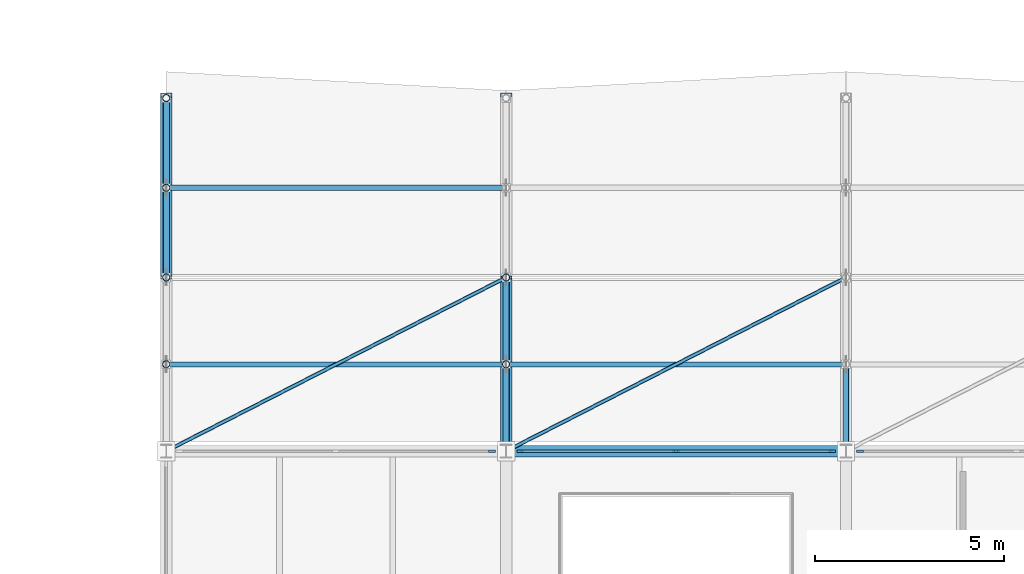
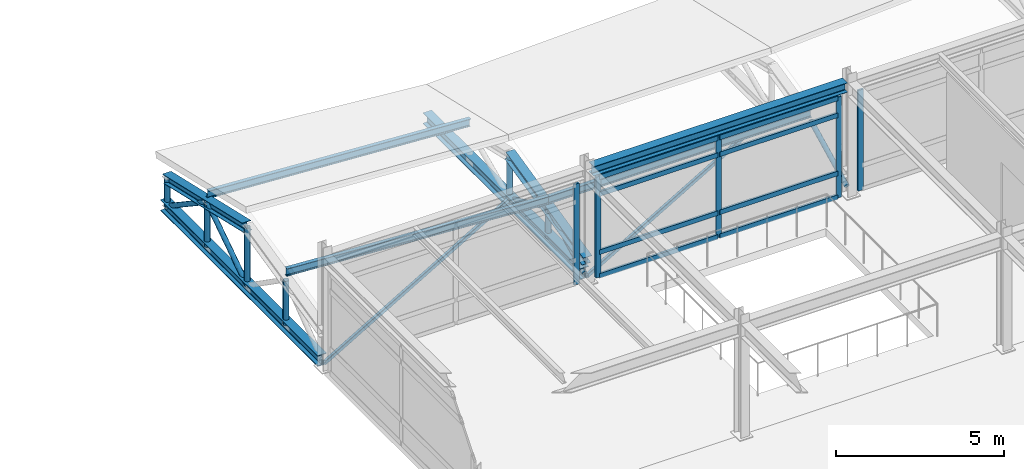
# One storey, part 20 of 55: 31 members, 3 beams, 3 elements without a shape of their own.
"""IFC4 building model written with IfcOpenShell, lengths in metres."""

from ifc_helpers import new_model, si_unit, direction, frame, origin, origin_2d, place, context, subcontext, project, spatial, rectangle, hollow_rectangle, hollow_circle, i_section, extrude, material, material_profile, profile_set, type_object, element, aggregate, save


model = new_model("IFC4")

# Units and contexts
model_context = context("Model", 3, precision=1e-05, world=origin(), true_north=direction((0.0, 1.0)))
body_context = subcontext(model_context, "Body", "Model", "MODEL_VIEW")
ifc_project = project(units=[si_unit("LENGTHUNIT", "METRE"), si_unit("AREAUNIT", "SQUARE_METRE"), si_unit("VOLUMEUNIT", "CUBIC_METRE"), si_unit("PLANEANGLEUNIT", "RADIAN"), si_unit("MASSUNIT", "GRAM", prefix="KILO")], contexts=[model_context])

# Site, building, storey
site_placement = place(None, origin())
site = spatial("IfcSite", under=ifc_project, at=site_placement, CompositionType="ELEMENT")
building_placement = place(site_placement, origin())
building = spatial("IfcBuilding", under=site, at=building_placement, Name="Bozkorgan Art Gallery", CompositionType="ELEMENT")
storey_placement = place(building_placement, frame((0.0, 0.0, 15.0)))
storey = spatial("IfcBuildingStorey", under=building, at=storey_placement, Name="L03", CompositionType="ELEMENT", Elevation=15.0)

# Beams
ifc_material_1 = material(Name="Steel S355J2", Category="steel")
ifc_material_profile_1 = material_profile(ifc_material_1, i_section(OverallWidth=0.300048828125, OverallDepth=0.35009765625, WebThickness=0.010009765625, FlangeThickness=0.017578125, FilletRadius=0.027099609375, at=origin_2d()), Name="HEA 360")
ifc_profile_set_1 = profile_set([ifc_material_profile_1], Name="Steel S355J2")
beam_type_1 = type_object("IfcBeamType", Name="BEAM-SP-97", PredefinedType="SPANDREL", material=ifc_profile_set_1)
beam_placement = place(storey_placement, frame((83.14990234375, 84.39990234375, 4.0048828125), z_axis=(1.0, 0.0, 0.0), x_axis=(0.0, 1.0, 0.0)))
element("IfcBeam", 1, at=beam_placement, inside=storey, type_object=beam_type_1, Name="V4 L03 spandrel X (83-92, 84.4)", PredefinedType="SPANDREL", context=body_context, shape_type="SweptSolid", body=[
    extrude(i_section(OverallWidth=0.300048828125, OverallDepth=0.35009765625, WebThickness=0.010009765625, FlangeThickness=0.017578125, FilletRadius=0.027099609375, at=origin_2d()), origin(), (0.0, 0.0, 1.0), 8.7001953125),
])
ifc_material_profile_2 = material_profile(ifc_material_1, i_section(OverallWidth=0.300048828125, OverallDepth=0.39990234375, WebThickness=0.013427734375, FlangeThickness=0.02392578125, FilletRadius=0.027099609375, at=origin_2d()), Name="HEB 400")
ifc_profile_set_2 = profile_set([ifc_material_profile_2], Name="Steel S355J2")
beam_type_2 = type_object("IfcBeamType", Name="BEAM-TB-49", PredefinedType="BEAM", material=ifc_profile_set_2)
for number, where, z_axis, x_axis, name in (
    (2, (74.0, 84.550048828125, 0.199951171875), (0.0, 1.0, 0.0), (-1.0, 0.0, 0.0), "ROOF-V4-STEP3 roof truss 1 bottom chord"),
    (3, (83.0, 84.550048828125, 0.199951171875), (0.0, 1.0, 0.0), (-1.0, 0.0, 0.0), "ROOF-V4-STEP3 roof truss 2 bottom chord"),
):
    element("IfcBeam", number, at=place(storey_placement, frame(where, z_axis=z_axis, x_axis=x_axis)), inside=storey, type_object=beam_type_2, Name=name, PredefinedType="BEAM", context=body_context, shape_type="SweptSolid", body=[
        extrude(i_section(OverallWidth=0.300048828125, OverallDepth=0.39990234375, WebThickness=0.013427734375, FlangeThickness=0.02392578125, FilletRadius=0.027099609375, at=origin_2d()), origin(), (0.0, 0.0, 1.0), 9.33984375),
    ])

# Curtain wall, member
ifc_material_2 = material(Name="Anodised Bronze Aluminium", Category="aluminium")
curtain_wall_type_1 = type_object("IfcCurtainWallType", Name="CW-CW-85", PredefinedType="NOTDEFINED", material=ifc_material_2)
curtain_wall_1_placement = place(storey_placement, origin())
curtain_wall_1 = element("IfcCurtainWall", 4, at=curtain_wall_1_placement, inside=storey, type_object=curtain_wall_type_1, Name="L03 unitised curtain wall CW-V4-L03-1N-02", PredefinedType="NOTDEFINED")
ifc_material_profile_3 = material_profile(ifc_material_2, rectangle(XDim=0.06494140625, YDim=0.179931640625, at=origin_2d()), Name="ALU MULLION 65x180")
ifc_profile_set_3 = profile_set([ifc_material_profile_3], Name="Anodised Bronze Aluminium")
member_type_1 = type_object("IfcMemberType", Name="CWM-01", PredefinedType="MULLION", material=ifc_profile_set_3)
member_1_placement = place(storey_placement, frame((82.62744140625, 84.39990234375, 0.02001953125), z_axis=(0.0, 0.0, 1.0), x_axis=(0.0, 1.0, 0.0)))
member_1 = element("IfcMember", 5, at=member_1_placement, type_object=member_type_1, Name="CW-85 mullion 3", PredefinedType="MULLION", context=body_context, shape_type="SweptSolid", body=[
    extrude(rectangle(XDim=0.06494140625, YDim=0.179931640625, at=origin_2d()), origin(), (0.0, 0.0, 1.0), 3.655029296875),
])
aggregate(curtain_wall_1, [member_1])

# Curtain wall, members
curtain_wall_type_2 = type_object("IfcCurtainWallType", Name="CW-CW-86", PredefinedType="NOTDEFINED", material=ifc_material_2)
curtain_wall_2_placement = place(storey_placement, origin())
curtain_wall_2 = element("IfcCurtainWall", 6, at=curtain_wall_2_placement, inside=storey, type_object=curtain_wall_type_2, Name="L03 unitised curtain wall CW-V4-L03-1N-04", PredefinedType="NOTDEFINED")
member_2_placement = place(storey_placement, frame((83.37255859375, 84.39990234375, 0.02001953125), z_axis=(0.0, 0.0, 1.0), x_axis=(0.0, 1.0, 0.0)))
member_2 = element("IfcMember", 7, at=member_2_placement, type_object=member_type_1, Name="CW-86 mullion 1", PredefinedType="MULLION", context=body_context, shape_type="SweptSolid", body=[
    extrude(rectangle(XDim=0.06494140625, YDim=0.179931640625, at=origin_2d()), origin(), (0.0, 0.0, 1.0), 3.655029296875),
])
member_3_placement = place(storey_placement, frame((87.5, 84.39990234375, 0.02001953125), z_axis=(0.0, 0.0, 1.0), x_axis=(0.0, 1.0, 0.0)))
member_3 = element("IfcMember", 8, at=member_3_placement, type_object=member_type_1, Name="CW-86 mullion 2", PredefinedType="MULLION", context=body_context, shape_type="SweptSolid", body=[
    extrude(rectangle(XDim=0.06494140625, YDim=0.179931640625, at=origin_2d()), origin(), (0.0, 0.0, 1.0), 3.655029296875),
])
member_4_placement = place(storey_placement, frame((91.62744140625, 84.39990234375, 0.02001953125), z_axis=(0.0, 0.0, 1.0), x_axis=(0.0, 1.0, 0.0)))
member_4 = element("IfcMember", 9, at=member_4_placement, type_object=member_type_1, Name="CW-86 mullion 3", PredefinedType="MULLION", context=body_context, shape_type="SweptSolid", body=[
    extrude(rectangle(XDim=0.06494140625, YDim=0.179931640625, at=origin_2d()), origin(), (0.0, 0.0, 1.0), 3.655029296875),
])

# Curtain wall, member
curtain_wall_3_placement = place(storey_placement, origin())
curtain_wall_3 = element("IfcCurtainWall", 10, at=curtain_wall_3_placement, inside=storey, type_object=curtain_wall_type_1, Name="L03 unitised curtain wall CW-V4-L03-1N-06", PredefinedType="NOTDEFINED")
member_5_placement = place(storey_placement, frame((92.37255859375, 84.39990234375, 0.02001953125), z_axis=(0.0, 0.0, 1.0), x_axis=(0.0, 1.0, 0.0)))
member_5 = element("IfcMember", 11, at=member_5_placement, type_object=member_type_1, Name="CW-85 mullion 1", PredefinedType="MULLION", context=body_context, shape_type="SweptSolid", body=[
    extrude(rectangle(XDim=0.06494140625, YDim=0.179931640625, at=origin_2d()), origin(), (0.0, 0.0, 1.0), 3.655029296875),
])
aggregate(curtain_wall_3, [member_5])

# Member
ifc_material_profile_4 = material_profile(ifc_material_2, rectangle(XDim=0.074951171875, YDim=0.169921875, at=origin_2d()), Name="ALU TRANSOM 75x170")
ifc_profile_set_4 = profile_set([ifc_material_profile_4], Name="Anodised Bronze Aluminium")
member_type_2 = type_object("IfcMemberType", Name="CWT-02", PredefinedType="USERDEFINED", material=ifc_profile_set_4)
member_6_placement = place(storey_placement, frame((83.405029296875, 84.39990234375, 0.0576171875), z_axis=(1.0, 0.0, 0.0), x_axis=(0.0, 1.0, 0.0)))
member_6 = element("IfcMember", 12, at=member_6_placement, type_object=member_type_2, Name="CW-86 transom 1.1", ObjectType="TRANSOM", PredefinedType="USERDEFINED", context=body_context, shape_type="SweptSolid", body=[
    extrude(rectangle(XDim=0.074951171875, YDim=0.169921875, at=origin_2d()), origin(), (0.0, 0.0, 1.0), 4.0625),
])

member_7_placement = place(storey_placement, frame((83.405029296875, 84.39990234375, 0.919921875), z_axis=(1.0, 0.0, 0.0), x_axis=(0.0, 1.0, 0.0)))
member_7 = element("IfcMember", 13, at=member_7_placement, type_object=member_type_2, Name="CW-86 transom 1.2", ObjectType="TRANSOM", PredefinedType="USERDEFINED", context=body_context, shape_type="SweptSolid", body=[
    extrude(rectangle(XDim=0.074951171875, YDim=0.169921875, at=origin_2d()), origin(), (0.0, 0.0, 1.0), 4.0625),
])

member_8_placement = place(storey_placement, frame((83.405029296875, 84.39990234375, 3.02490234375), z_axis=(1.0, 0.0, 0.0), x_axis=(0.0, 1.0, 0.0)))
member_8 = element("IfcMember", 14, at=member_8_placement, type_object=member_type_2, Name="CW-86 transom 1.3", ObjectType="TRANSOM", PredefinedType="USERDEFINED", context=body_context, shape_type="SweptSolid", body=[
    extrude(rectangle(XDim=0.074951171875, YDim=0.169921875, at=origin_2d()), origin(), (0.0, 0.0, 1.0), 4.0625),
])

member_9_placement = place(storey_placement, frame((83.405029296875, 84.39990234375, 3.637451171875), z_axis=(1.0, 0.0, 0.0), x_axis=(0.0, 1.0, 0.0)))
member_9 = element("IfcMember", 15, at=member_9_placement, type_object=member_type_2, Name="CW-86 transom 1.4", ObjectType="TRANSOM", PredefinedType="USERDEFINED", context=body_context, shape_type="SweptSolid", body=[
    extrude(rectangle(XDim=0.074951171875, YDim=0.169921875, at=origin_2d()), origin(), (0.0, 0.0, 1.0), 4.0625),
])

member_10_placement = place(storey_placement, frame((87.532470703125, 84.39990234375, 0.0576171875), z_axis=(1.0, 0.0, 0.0), x_axis=(0.0, 1.0, 0.0)))
member_10 = element("IfcMember", 16, at=member_10_placement, type_object=member_type_2, Name="CW-86 transom 2.1", ObjectType="TRANSOM", PredefinedType="USERDEFINED", context=body_context, shape_type="SweptSolid", body=[
    extrude(rectangle(XDim=0.074951171875, YDim=0.169921875, at=origin_2d()), origin(), (0.0, 0.0, 1.0), 4.0625),
])

member_11_placement = place(storey_placement, frame((87.532470703125, 84.39990234375, 0.919921875), z_axis=(1.0, 0.0, 0.0), x_axis=(0.0, 1.0, 0.0)))
member_11 = element("IfcMember", 17, at=member_11_placement, type_object=member_type_2, Name="CW-86 transom 2.2", ObjectType="TRANSOM", PredefinedType="USERDEFINED", context=body_context, shape_type="SweptSolid", body=[
    extrude(rectangle(XDim=0.074951171875, YDim=0.169921875, at=origin_2d()), origin(), (0.0, 0.0, 1.0), 4.0625),
])

member_12_placement = place(storey_placement, frame((87.532470703125, 84.39990234375, 3.02490234375), z_axis=(1.0, 0.0, 0.0), x_axis=(0.0, 1.0, 0.0)))
member_12 = element("IfcMember", 18, at=member_12_placement, type_object=member_type_2, Name="CW-86 transom 2.3", ObjectType="TRANSOM", PredefinedType="USERDEFINED", context=body_context, shape_type="SweptSolid", body=[
    extrude(rectangle(XDim=0.074951171875, YDim=0.169921875, at=origin_2d()), origin(), (0.0, 0.0, 1.0), 4.0625),
])

member_13_placement = place(storey_placement, frame((87.532470703125, 84.39990234375, 3.637451171875), z_axis=(1.0, 0.0, 0.0), x_axis=(0.0, 1.0, 0.0)))
member_13 = element("IfcMember", 19, at=member_13_placement, type_object=member_type_2, Name="CW-86 transom 2.4", ObjectType="TRANSOM", PredefinedType="USERDEFINED", context=body_context, shape_type="SweptSolid", body=[
    extrude(rectangle(XDim=0.074951171875, YDim=0.169921875, at=origin_2d()), origin(), (0.0, 0.0, 1.0), 4.0625),
])

aggregate(curtain_wall_2, [member_2, member_3, member_4, member_6, member_7, member_8, member_9, member_10, member_11, member_12, member_13])

# Members
ifc_material_profile_5 = material_profile(ifc_material_1, i_section(OverallWidth=0.135009765625, OverallDepth=0.27001953125, WebThickness=0.006591796875, FlangeThickness=0.01025390625, FilletRadius=0.014892578125, at=origin_2d()), Name="IPE 270")
ifc_profile_set_5 = profile_set([ifc_material_profile_5], Name="Steel S355J2")
member_type_3 = type_object("IfcMemberType", Name="MEMBER-PR-57", PredefinedType="PURLIN", material=ifc_profile_set_5)
for number, where, z_axis, x_axis, name in (
    (20, (74.0, 86.699951171875, 2.096435546875), (0.998287793766, 0.0, -0.058493425416), (0.0, 1.0, 0.0), "ROOF-V4-STEP3 roof purlin 1S"),
    (21, (74.0, 91.375, 2.0791015625), (0.998287793766, 0.0, -0.058493425416), (0.0, 1.0, 0.0), "ROOF-V4-STEP3 roof purlin 1N"),
):
    element("IfcMember", number, at=place(storey_placement, frame(where, z_axis=z_axis, x_axis=x_axis)), inside=storey, type_object=member_type_3, Name=name, PredefinedType="PURLIN", context=body_context, shape_type="SweptSolid", body=[
        extrude(i_section(OverallWidth=0.135009765625, OverallDepth=0.27001953125, WebThickness=0.006591796875, FlangeThickness=0.01025390625, FilletRadius=0.014892578125, at=origin_2d()), origin(), (0.0, 0.0, 1.0), 9.015380859375),
    ])
member_14_placement = place(storey_placement, frame((83.0, 86.699951171875, 1.569091796875), z_axis=(1.0, 0.0, 0.0), x_axis=(0.0, 1.0, 0.0)))
element("IfcMember", 22, at=member_14_placement, inside=storey, type_object=member_type_3, Name="ROOF-V4-STEP3 roof purlin 2S", PredefinedType="PURLIN", context=body_context, shape_type="SweptSolid", body=[
    extrude(i_section(OverallWidth=0.135009765625, OverallDepth=0.27001953125, WebThickness=0.006591796875, FlangeThickness=0.01025390625, FilletRadius=0.014892578125, at=origin_2d()), origin(), (0.0, 0.0, 1.0), 9.0),
])
ifc_material_profile_6 = material_profile(ifc_material_1, i_section(OverallWidth=0.300048828125, OverallDepth=0.31005859375, WebThickness=0.009033203125, FlangeThickness=0.015380859375, FilletRadius=0.027099609375, at=origin_2d()), Name="HEA 320")
ifc_profile_set_6 = profile_set([ifc_material_profile_6], Name="Steel S355J2")
member_type_4 = type_object("IfcMemberType", Name="MEMBER-TC-13", PredefinedType="CHORD", material=ifc_profile_set_6)
member_15_placement = place(storey_placement, frame((74.0, 89.0, 2.33740234375), z_axis=(0.0, 0.974367556786, -0.224961917408), x_axis=(-1.0, 0.0, 0.0)))
element("IfcMember", 23, at=member_15_placement, inside=storey, type_object=member_type_4, Name="ROOF-V4-STEP3 roof truss 1 north top chord", PredefinedType="CHORD", context=body_context, shape_type="SweptSolid", body=[
    extrude(i_section(OverallWidth=0.300048828125, OverallDepth=0.31005859375, WebThickness=0.009033203125, FlangeThickness=0.015380859375, FilletRadius=0.027099609375, at=origin_2d()), origin(), (0.0, 0.0, 1.0), 4.875),
])
member_16_placement = place(storey_placement, frame((83.0, 84.39990234375, 0.748046875), z_axis=(0.0, 0.974370273991, 0.224950148172), x_axis=(-1.0, 0.0, 0.0)))
element("IfcMember", 24, at=member_16_placement, inside=storey, type_object=member_type_4, Name="ROOF-V4-STEP3 roof truss 2 south top chord", PredefinedType="CHORD", context=body_context, shape_type="SweptSolid", body=[
    extrude(i_section(OverallWidth=0.300048828125, OverallDepth=0.31005859375, WebThickness=0.009033203125, FlangeThickness=0.015380859375, FilletRadius=0.027099609375, at=origin_2d()), origin(), (0.0, 0.0, 1.0), 4.72119140625),
])
ifc_material_profile_7 = material_profile(ifc_material_1, hollow_circle(Radius=0.096923828125, WallThickness=0.008056640625, at=origin_2d()), Name="CHS 193.7x8")
ifc_profile_set_7 = profile_set([ifc_material_profile_7], Name="Steel S355J2")
member_type_5 = type_object("IfcMemberType", Name="MEMBER-TP-46", PredefinedType="POST", material=ifc_profile_set_7)
member_17_placement = place(storey_placement, frame((74.0, 86.699951171875, 0.199951171875), z_axis=(0.0, 0.0, 1.0), x_axis=(1.0, 0.0, 0.0)))
element("IfcMember", 25, at=member_17_placement, inside=storey, type_object=member_type_5, Name="ROOF-V4-STEP3 roof truss 1 post 1", PredefinedType="POST", context=body_context, shape_type="SweptSolid", body=[
    extrude(hollow_circle(Radius=0.096923828125, WallThickness=0.008056640625, at=origin_2d()), origin(), (0.0, 0.0, 1.0), 1.6064453125),
])
member_18_placement = place(storey_placement, frame((74.0, 89.0, 0.199951171875), z_axis=(0.0, 0.0, 1.0), x_axis=(1.0, 0.0, 0.0)))
element("IfcMember", 26, at=member_18_placement, inside=storey, type_object=member_type_5, Name="ROOF-V4-STEP3 roof truss 1 post 2", PredefinedType="POST", context=body_context, shape_type="SweptSolid", body=[
    extrude(hollow_circle(Radius=0.096923828125, WallThickness=0.008056640625, at=origin_2d()), origin(), (0.0, 0.0, 1.0), 2.137451171875),
])
member_19_placement = place(storey_placement, frame((74.0, 91.375, 0.199951171875), z_axis=(0.0, 0.0, 1.0), x_axis=(1.0, 0.0, 0.0)))
element("IfcMember", 27, at=member_19_placement, inside=storey, type_object=member_type_5, Name="ROOF-V4-STEP3 roof truss 1 post 3", PredefinedType="POST", context=body_context, shape_type="SweptSolid", body=[
    extrude(hollow_circle(Radius=0.096923828125, WallThickness=0.008056640625, at=origin_2d()), origin(), (0.0, 0.0, 1.0), 1.589111328125),
])
member_20_placement = place(storey_placement, frame((74.0, 93.75, 0.199951171875), z_axis=(0.0, 0.0, 1.0), x_axis=(1.0, 0.0, 0.0)))
element("IfcMember", 28, at=member_20_placement, inside=storey, type_object=member_type_5, Name="ROOF-V4-STEP3 roof truss 1 post 4", PredefinedType="POST", context=body_context, shape_type="SweptSolid", body=[
    extrude(hollow_circle(Radius=0.096923828125, WallThickness=0.008056640625, at=origin_2d()), origin(), (0.0, 0.0, 1.0), 1.040771484375),
])
member_21_placement = place(storey_placement, frame((83.0, 86.699951171875, 0.199951171875), z_axis=(0.0, 0.0, 1.0), x_axis=(1.0, 0.0, 0.0)))
element("IfcMember", 29, at=member_21_placement, inside=storey, type_object=member_type_5, Name="ROOF-V4-STEP3 roof truss 2 post 1", PredefinedType="POST", context=body_context, shape_type="SweptSolid", body=[
    extrude(hollow_circle(Radius=0.096923828125, WallThickness=0.008056640625, at=origin_2d()), origin(), (0.0, 0.0, 1.0), 1.0791015625),
])
member_22_placement = place(storey_placement, frame((83.0, 89.0, 0.199951171875), z_axis=(0.0, 0.0, 1.0), x_axis=(1.0, 0.0, 0.0)))
element("IfcMember", 30, at=member_22_placement, inside=storey, type_object=member_type_5, Name="ROOF-V4-STEP3 roof truss 2 post 2", PredefinedType="POST", context=body_context, shape_type="SweptSolid", body=[
    extrude(hollow_circle(Radius=0.096923828125, WallThickness=0.008056640625, at=origin_2d()), origin(), (0.0, 0.0, 1.0), 1.610107421875),
])
ifc_material_profile_8 = material_profile(ifc_material_1, hollow_circle(Radius=0.084228515625, WallThickness=0.008056640625, at=origin_2d()), Name="CHS 168.3x8")
ifc_profile_set_8 = profile_set([ifc_material_profile_8], Name="Steel S355J2")
member_type_6 = type_object("IfcMemberType", Name="MEMBER-TW-40", PredefinedType="BRACE", material=ifc_profile_set_8)
for number, where, z_axis, x_axis, name in (
    (31, (74.0, 89.0, 0.199951171875), (0.0, 0.831115899001, 0.556099237931), (-1.0, 0.0, 0.0), "ROOF-V4-STEP3 roof truss 1 diagonal 3"),
    (32, (74.0, 91.375, 1.7890625), (0.0, 0.831115899001, -0.556099237931), (-1.0, 0.0, 0.0), "ROOF-V4-STEP3 roof truss 1 diagonal 4"),
):
    element("IfcMember", number, at=place(storey_placement, frame(where, z_axis=z_axis, x_axis=x_axis)), inside=storey, type_object=member_type_6, Name=name, PredefinedType="BRACE", context=body_context, shape_type="SweptSolid", body=[
        extrude(hollow_circle(Radius=0.084228515625, WallThickness=0.008056640625, at=origin_2d()), origin(), (0.0, 0.0, 1.0), 2.857666015625),
    ])
member_23_placement = place(storey_placement, frame((83.0, 84.550048828125, 0.199951171875), z_axis=(0.0, 0.893735982348, 0.448593350213), x_axis=(-1.0, 0.0, 0.0)))
element("IfcMember", 33, at=member_23_placement, inside=storey, type_object=member_type_6, Name="ROOF-V4-STEP3 roof truss 2 diagonal 1", PredefinedType="BRACE", context=body_context, shape_type="SweptSolid", body=[
    extrude(hollow_circle(Radius=0.084228515625, WallThickness=0.008056640625, at=origin_2d()), origin(), (0.0, 0.0, 1.0), 2.405517578125),
])
member_24_placement = place(storey_placement, frame((83.0, 86.699951171875, 1.279052734375), z_axis=(0.0, 0.905314625174, -0.424741603149), x_axis=(-1.0, 0.0, 0.0)))
element("IfcMember", 34, at=member_24_placement, inside=storey, type_object=member_type_6, Name="ROOF-V4-STEP3 roof truss 2 diagonal 2", PredefinedType="BRACE", context=body_context, shape_type="SweptSolid", body=[
    extrude(hollow_circle(Radius=0.084228515625, WallThickness=0.008056640625, at=origin_2d()), origin(), (0.0, 0.0, 1.0), 2.54052734375),
])
member_25_placement = place(storey_placement, frame((92.0, 84.550048828125, 0.199951171875), z_axis=(0.0, 0.893735982348, 0.448593350213), x_axis=(-1.0, 0.0, 0.0)))
element("IfcMember", 35, at=member_25_placement, inside=storey, type_object=member_type_6, Name="ROOF-V4-STEP3 roof truss 3 diagonal 1", PredefinedType="BRACE", context=body_context, shape_type="SweptSolid", body=[
    extrude(hollow_circle(Radius=0.084228515625, WallThickness=0.008056640625, at=origin_2d()), origin(), (0.0, 0.0, 1.0), 2.405517578125),
])
ifc_material_profile_9 = material_profile(ifc_material_1, hollow_rectangle(XDim=0.10009765625, YDim=0.14990234375, WallThickness=0.008056640625, InnerFilletRadius=0.011962890625, OuterFilletRadius=0.02001953125, at=origin_2d()), Name="RHS 150x100x8")
ifc_profile_set_9 = profile_set([ifc_material_profile_9], Name="Steel S355J2")
member_type_7 = type_object("IfcMemberType", Name="MEMBER-WB-10", PredefinedType="BRACE", material=ifc_profile_set_9)
for number, where, z_axis, x_axis, name in (
    (36, (74.0, 84.39990234375, 0.199951171875), (0.890430766754, 0.455118720355, 0.0), (-0.455118720355, 0.890430766754, 0.0), "ROOF-V4-STEP3 roof diaphragm wind brace 1"),
    (37, (83.0, 84.39990234375, 0.199951171875), (0.890430766754, 0.455118720355, 0.0), (-0.455118720355, 0.890430766754, 0.0), "ROOF-V4-STEP3 roof diaphragm wind brace 2"),
):
    element("IfcMember", number, at=place(storey_placement, frame(where, z_axis=z_axis, x_axis=x_axis)), inside=storey, type_object=member_type_7, Name=name, PredefinedType="BRACE", context=body_context, shape_type="SweptSolid", body=[
        extrude(hollow_rectangle(XDim=0.10009765625, YDim=0.14990234375, WallThickness=0.008056640625, InnerFilletRadius=0.011962890625, OuterFilletRadius=0.02001953125, at=origin_2d()), origin(), (0.0, 0.0, 1.0), 10.107421875),
    ])

save(model, "model.ifc")
